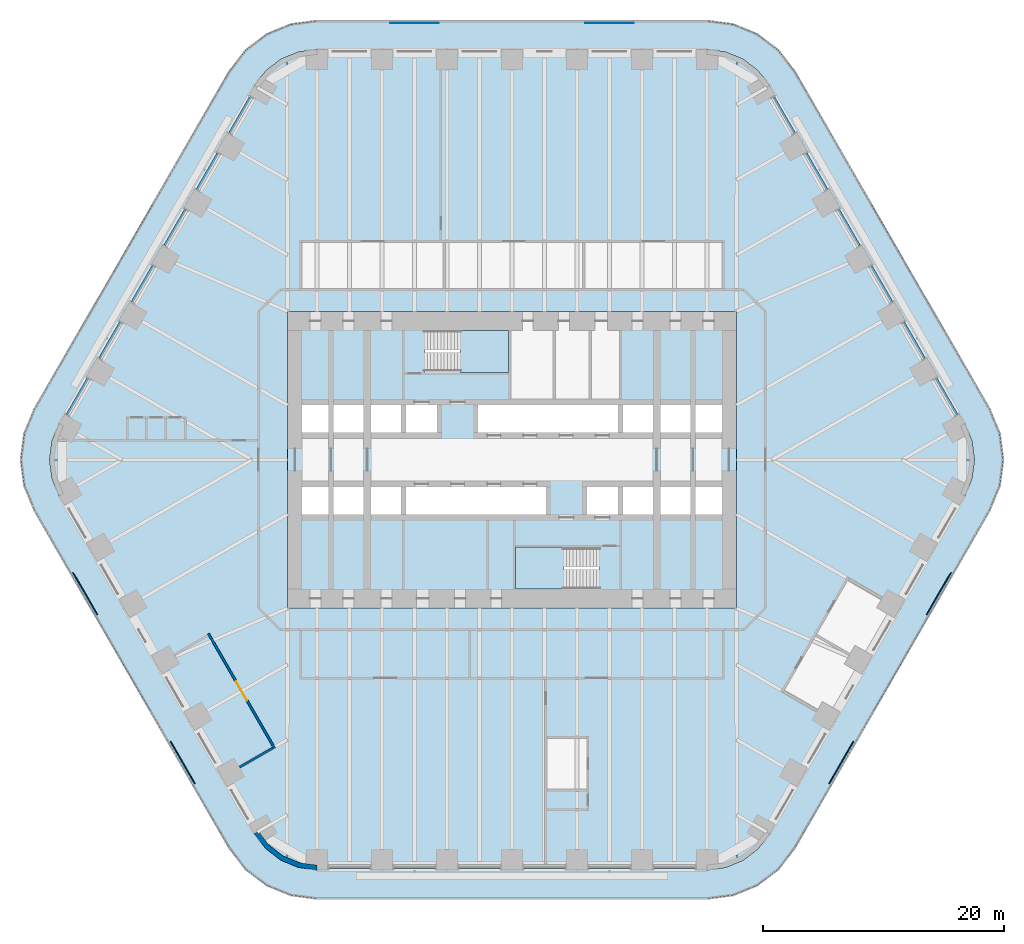
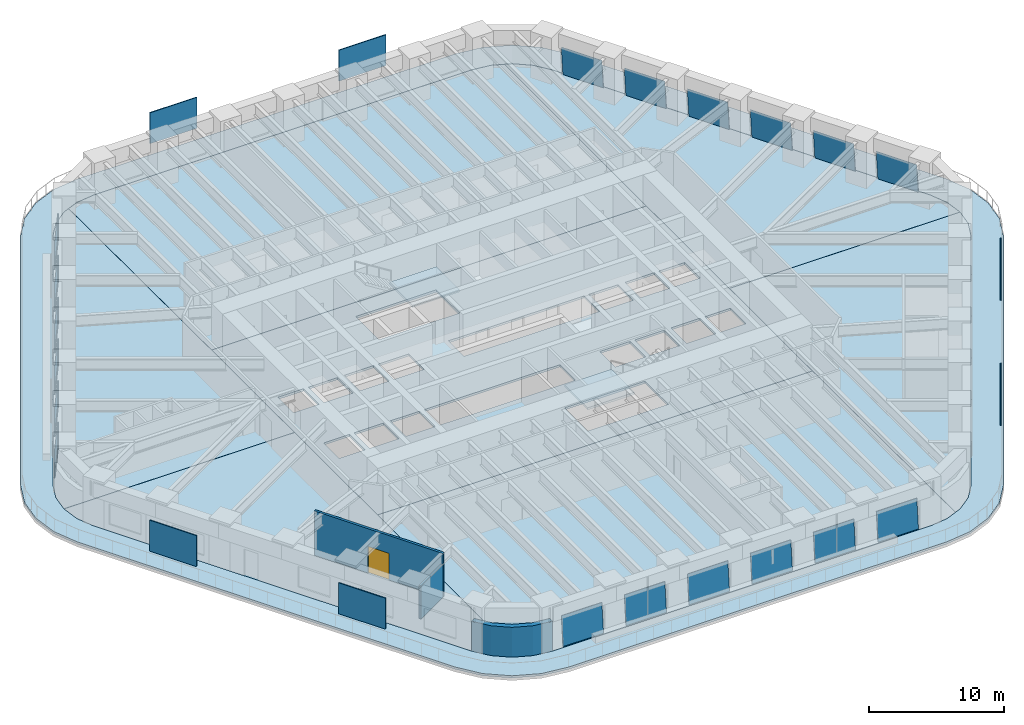
# One storey, part 15 of 23: 24 plates, 10 slabs, 3 walls, 1 door, 1 opening, 20 elements without a shape of their own.
"""IFC4 building model written with IfcOpenShell, lengths in metres."""

from ifc_helpers import new_model, si_unit, direction, frame, frame_2d, origin, origin_2d, place, context, subcontext, project, spatial, polyline, rectangle, outline, extrude, material, layer, layer_set, type_object, element, fill, aggregate, save


model = new_model("IFC4")

# Units and contexts
model_context = context("Model", 3, precision=1e-05, world=origin(), true_north=direction((0.0, 1.0)))
body_context = subcontext(model_context, "Body", "Model", "MODEL_VIEW")
ifc_project = project(units=[si_unit("LENGTHUNIT", "METRE"), si_unit("AREAUNIT", "SQUARE_METRE"), si_unit("VOLUMEUNIT", "CUBIC_METRE"), si_unit("PLANEANGLEUNIT", "RADIAN"), si_unit("MASSUNIT", "GRAM", prefix="KILO")], contexts=[model_context])

# Site, building, storey
site_placement = place(None, origin())
site = spatial("IfcSite", under=ifc_project, at=site_placement, CompositionType="ELEMENT")
building_placement = place(site_placement, origin())
building = spatial("IfcBuilding", under=site, at=building_placement, Name="Tarfa Lantern Tower", CompositionType="ELEMENT")
storey_placement = place(building_placement, frame((0.0, 0.0, 86.5)))
storey = spatial("IfcBuildingStorey", under=building, at=storey_placement, Name="L19", CompositionType="ELEMENT", Elevation=86.5)

# Slab
ifc_material_1 = material(Name="Concrete C40/50", Category="concrete")
ifc_layer_1 = layer(ifc_material_1, 0.199951171875)
ifc_layer_set_1 = layer_set([ifc_layer_1], Name="BS2 BALCONY SLAB 200")
slab_type_1 = type_object("IfcSlabType", Name="BS2 BALCONY SLAB 200", PredefinedType="FLOOR", material=ifc_layer_set_1)
slab_1_placement = place(storey_placement, frame((0.0, 0.0, -0.199951171875)))
element("IfcSlab", 1, at=slab_1_placement, inside=storey, type_object=slab_type_1, Name="Balcony L19", PredefinedType="FLOOR", context=body_context, shape_type="SweptSolid", body=[
    extrude(outline(polyline([(39.606201171875, 4.199951171875), (23.4404296875, 32.199951171875), (22.10546875, 33.939697265625), (20.36572265625, 35.274658203125), (18.33984375, 36.11376953125), (16.165771484375, 36.39990234375), (-16.165771484375, 36.39990234375), (-18.33984375, 36.11376953125), (-20.36572265625, 35.274658203125), (-22.10546875, 33.939697265625), (-23.4404296875, 32.199951171875), (-39.606201171875, 4.199951171875), (-40.4453125, 2.174072265625), (-40.731689453125, 0.0), (-40.4453125, -2.174072265625), (-39.606201171875, -4.199951171875), (-23.4404296875, -32.199951171875), (-22.10546875, -33.939697265625), (-20.36572265625, -35.274658203125), (-18.33984375, -36.11376953125), (-16.165771484375, -36.39990234375), (16.165771484375, -36.39990234375), (18.33984375, -36.11376953125), (20.36572265625, -35.274658203125), (22.10546875, -33.939697265625), (23.4404296875, -32.199951171875), (39.606201171875, -4.199951171875), (40.4453125, -2.174072265625), (40.731689453125, 0.0), (40.4453125, 2.174072265625), (39.606201171875, 4.199951171875)]), holes=[polyline([(37.52783203125, 3.0), (21.362060546875, 31.0), (20.408447265625, 32.24267578125), (19.165771484375, 33.196044921875), (17.71875, 33.795654296875), (16.165771484375, 34.0), (-16.165771484375, 34.0), (-17.71875, 33.795654296875), (-19.165771484375, 33.196044921875), (-20.408447265625, 32.24267578125), (-21.362060546875, 31.0), (-37.52783203125, 3.0), (-38.127197265625, 1.552978515625), (-38.33154296875, 0.0), (-38.127197265625, -1.552978515625), (-37.52783203125, -3.0), (-21.362060546875, -31.0), (-20.408447265625, -32.24267578125), (-19.165771484375, -33.196044921875), (-17.71875, -33.795654296875), (-16.165771484375, -34.0), (16.165771484375, -34.0), (17.71875, -33.795654296875), (19.165771484375, -33.196044921875), (20.408447265625, -32.24267578125), (21.362060546875, -31.0), (37.52783203125, -3.0), (38.127197265625, -1.552978515625), (38.33154296875, 0.0), (38.127197265625, 1.552978515625), (37.52783203125, 3.0)])]), origin(), (0.0, 0.0, 1.0), 0.199951171875),
])

# Curtain wall, plate
ifc_material_2 = material(Name="Aluminium framed curtain wall", Category="aluminium")
curtain_wall_type = type_object("IfcCurtainWallType", Name="CW1 CANTED GLAZING LOW ZONE 2700", PredefinedType="USERDEFINED", material=ifc_material_2)
curtain_wall_1_placement = place(storey_placement, origin())
curtain_wall_1 = element("IfcCurtainWall", 2, at=curtain_wall_1_placement, inside=storey, type_object=curtain_wall_type, Name="CW1 NE L19", ObjectType="CURTAIN WALL", PredefinedType="USERDEFINED")
ifc_material_3 = material(Name="Laminated double glazing", Category="glass")
ifc_layer_2 = layer(ifc_material_3, 0.028076171875)
ifc_layer_set_2 = layer_set([ifc_layer_2], Name="CWP1 DOUBLE GLAZED PANEL")
plate_type_1 = type_object("IfcPlateType", Name="CWP1 DOUBLE GLAZED PANEL", PredefinedType="CURTAIN_PANEL", material=ifc_layer_set_2)
plate_1_placement = place(storey_placement, frame((36.958740234375, 3.78564453125, 0.0), z_axis=(0.862328668437, 0.497885244559, 0.092193008634), x_axis=(-0.500014824519, 0.866016844675, 1.185802e-06)))
plate_1 = element("IfcPlate", 3, at=plate_1_placement, type_object=plate_type_1, Name="CW1 panel 1.1", PredefinedType="CURTAIN_PANEL", context=body_context, shape_type="SweptSolid", body=[
    extrude(outline(polyline([(0.0, 0.0), (3.4588050986823675, -2.7755575615628914e-17), (3.458687227400386, 2.6462757406584143), (0.00021563254350503633, 2.646283978259601), (0.0, 0.0)])), origin(), (0.0, 0.0, -1.0), 0.028076171875),
])
aggregate(curtain_wall_1, [plate_1])

curtain_wall_2_placement = place(storey_placement, origin())
curtain_wall_2 = element("IfcCurtainWall", 4, at=curtain_wall_2_placement, inside=storey, type_object=curtain_wall_type, Name="CW1 NE L19", ObjectType="CURTAIN WALL", PredefinedType="USERDEFINED")
plate_2_placement = place(storey_placement, frame((34.264404296875, 8.452392578125, 0.0), z_axis=(0.862340709651, 0.497857052326, 0.092232618567), x_axis=(-0.499988388526, 0.866032107567, 1.620746e-06)))
plate_2 = element("IfcPlate", 5, at=plate_2_placement, type_object=plate_type_1, Name="CW1 panel 1.1", PredefinedType="CURTAIN_PANEL", context=body_context, shape_type="SweptSolid", body=[
    extrude(outline(polyline([(0.0, 0.0), (3.4584715946188553, 0.0), (3.458680924575474, 2.6462839784417604), (-2.1036633928729573e-06, 2.646295237386087), (0.0, 0.0)])), origin(), (0.0, 0.0, -1.0), 0.028076171875),
])
aggregate(curtain_wall_2, [plate_2])

curtain_wall_3_placement = place(storey_placement, origin())
curtain_wall_3 = element("IfcCurtainWall", 6, at=curtain_wall_3_placement, inside=storey, type_object=curtain_wall_type, Name="CW1 NE L19", ObjectType="CURTAIN WALL", PredefinedType="USERDEFINED")
plate_3_placement = place(storey_placement, frame((31.570068359375, 13.119140625, 0.0), z_axis=(0.86231804758, 0.497899404143, 0.092215878092), x_axis=(-0.500029787915, 0.866008205036, -2.80672e-06)))
plate_3 = element("IfcPlate", 7, at=plate_3_placement, type_object=plate_type_1, Name="CW1 panel 1.1", PredefinedType="CURTAIN_PANEL", context=body_context, shape_type="SweptSolid", body=[
    extrude(outline(polyline([(0.0, 0.0), (3.458471593550903, 0.0), (3.458469494159286, 2.6462952359903724), (-0.00012417697655749924, 2.6462757386504), (0.0, 0.0)])), origin(), (0.0, 0.0, -1.0), 0.028076171875),
])
aggregate(curtain_wall_3, [plate_3])

curtain_wall_4_placement = place(storey_placement, origin())
curtain_wall_4 = element("IfcCurtainWall", 8, at=curtain_wall_4_placement, inside=storey, type_object=curtain_wall_type, Name="CW1 NE L19", ObjectType="CURTAIN WALL", PredefinedType="USERDEFINED")
plate_4_placement = place(storey_placement, frame((28.875732421875, 17.78564453125, 0.0), z_axis=(0.862328668437, 0.497885244559, 0.092193008634), x_axis=(-0.500014374553, 0.866017104462, -4.42593e-06)))
plate_4 = element("IfcPlate", 9, at=plate_4_placement, type_object=plate_type_1, Name="CW1 panel 1.1", PredefinedType="CURTAIN_PANEL", context=body_context, shape_type="SweptSolid", body=[
    extrude(outline(polyline([(0.0, 0.0), (3.458683024805527, 0.0), (3.45867231364208, 2.646295232853952), (7.864497178416369e-05, 2.646264486530969), (0.0, 0.0)])), origin(), (0.0, 0.0, -1.0), 0.028076171875),
])
aggregate(curtain_wall_4, [plate_4])

curtain_wall_5_placement = place(storey_placement, origin())
curtain_wall_5 = element("IfcCurtainWall", 10, at=curtain_wall_5_placement, inside=storey, type_object=curtain_wall_type, Name="CW1 NE L19", ObjectType="CURTAIN WALL", PredefinedType="USERDEFINED")
plate_5_placement = place(storey_placement, frame((26.181396484375, 22.452392578125, 0.0), z_axis=(0.862347061743, 0.497860719593, 0.092153399226), x_axis=(-0.499988388302, 0.866032107696, 1.619366e-06)))
plate_5 = element("IfcPlate", 11, at=plate_5_placement, type_object=plate_type_1, Name="CW1 panel 1.1", PredefinedType="CURTAIN_PANEL", context=body_context, shape_type="SweptSolid", body=[
    extrude(outline(polyline([(0.0, 0.0), (3.458471594618848, 0.0), (3.4585588533982596, 2.64626449077229), (-0.0001241748406306579, 2.6462757400462187), (0.0, 0.0)])), origin(), (0.0, 0.0, -1.0), 0.028076171875),
])
aggregate(curtain_wall_5, [plate_5])

curtain_wall_6_placement = place(storey_placement, origin())
curtain_wall_6 = element("IfcCurtainWall", 12, at=curtain_wall_6_placement, inside=storey, type_object=curtain_wall_type, Name="CW1 NE L19", ObjectType="CURTAIN WALL", PredefinedType="USERDEFINED")
plate_6_placement = place(storey_placement, frame((23.487060546875, 27.119140625, 0.0), z_axis=(0.862336442431, 0.497874879503, 0.092176268179), x_axis=(-0.500003541824, 0.866023358902, 0.0)))
plate_6 = element("IfcPlate", 13, at=plate_6_placement, type_object=plate_type_1, Name="CW1 panel 1.1", PredefinedType="CURTAIN_PANEL", context=body_context, shape_type="SweptSolid", body=[
    extrude(outline(polyline([(0.0, 0.0), (3.4584715951528233, 0.0), (3.4583474213801635, 2.6462757407441324), (-0.00012417377265973306, 2.6462757407441324), (0.0, 0.0)])), origin(), (0.0, 0.0, -1.0), 0.028076171875),
])
aggregate(curtain_wall_6, [plate_6])

curtain_wall_7_placement = place(storey_placement, origin())
curtain_wall_7 = element("IfcCurtainWall", 14, at=curtain_wall_7_placement, inside=storey, type_object=curtain_wall_type, Name="CW1 NW L19", ObjectType="CURTAIN WALL", PredefinedType="USERDEFINED")
plate_7_placement = place(storey_placement, frame((-21.7578125, 30.1142578125, 0.0), z_axis=(-0.862336442431, 0.497874879503, 0.092176268179), x_axis=(-0.500003541824, -0.866023358902, 0.0)))
plate_7 = element("IfcPlate", 15, at=plate_7_placement, type_object=plate_type_1, Name="CW1 panel 1.1", PredefinedType="CURTAIN_PANEL", context=body_context, shape_type="SweptSolid", body=[
    extrude(outline(polyline([(0.0, 0.0), (3.4584715951528233, 0.0), (3.4585957689254827, 2.6462757407441324), (0.00012417377265973306, 2.6462757407441324), (0.0, 0.0)])), origin(), (0.0, 0.0, -1.0), 0.028076171875),
])
aggregate(curtain_wall_7, [plate_7])

curtain_wall_8_placement = place(storey_placement, origin())
curtain_wall_8 = element("IfcCurtainWall", 16, at=curtain_wall_8_placement, inside=storey, type_object=curtain_wall_type, Name="CW1 NW L19", ObjectType="CURTAIN WALL", PredefinedType="USERDEFINED")
plate_8_placement = place(storey_placement, frame((-24.4521484375, 25.447509765625, 0.0), z_axis=(-0.862347061743, 0.497860719593, 0.092153399226), x_axis=(-0.499988388302, -0.866032107696, -1.619366e-06)))
plate_8 = element("IfcPlate", 17, at=plate_8_placement, type_object=plate_type_1, Name="CW1 panel 1.1", PredefinedType="CURTAIN_PANEL", context=body_context, shape_type="SweptSolid", body=[
    extrude(outline(polyline([(0.0, 0.0), (3.458471594618848, 0.0), (3.458595769459478, 2.6462757400462182), (-8.725877941228665e-05, 2.64626449077229), (0.0, 0.0)])), origin(), (0.0, 0.0, -1.0), 0.028076171875),
])
aggregate(curtain_wall_8, [plate_8])

curtain_wall_9_placement = place(storey_placement, origin())
curtain_wall_9 = element("IfcCurtainWall", 18, at=curtain_wall_9_placement, inside=storey, type_object=curtain_wall_type, Name="CW1 NW L19", ObjectType="CURTAIN WALL", PredefinedType="USERDEFINED")
plate_9_placement = place(storey_placement, frame((-27.146484375, 20.781005859375, 0.0), z_axis=(-0.862328668437, 0.497885244559, 0.092193008634), x_axis=(-0.500014374553, -0.866017104462, 4.42593e-06)))
plate_9 = element("IfcPlate", 19, at=plate_9_placement, type_object=plate_type_1, Name="CW1 panel 1.1", PredefinedType="CURTAIN_PANEL", context=body_context, shape_type="SweptSolid", body=[
    extrude(outline(polyline([(0.0, 0.0), (3.458683024805527, 0.0), (3.4586043798337425, 2.646264486530969), (1.0711163447508162e-05, 2.646295232853952), (0.0, 0.0)])), origin(), (0.0, 0.0, -1.0), 0.028076171875),
])
aggregate(curtain_wall_9, [plate_9])

curtain_wall_10_placement = place(storey_placement, origin())
curtain_wall_10 = element("IfcCurtainWall", 20, at=curtain_wall_10_placement, inside=storey, type_object=curtain_wall_type, Name="CW1 NW L19", ObjectType="CURTAIN WALL", PredefinedType="USERDEFINED")
plate_10_placement = place(storey_placement, frame((-29.8408203125, 16.1142578125, 0.0), z_axis=(-0.86231804758, 0.497899404143, 0.092215878092), x_axis=(-0.500029787915, -0.866008205036, 2.80672e-06)))
plate_10 = element("IfcPlate", 21, at=plate_10_placement, type_object=plate_type_1, Name="CW1 panel 1.1", PredefinedType="CURTAIN_PANEL", context=body_context, shape_type="SweptSolid", body=[
    extrude(outline(polyline([(0.0, 0.0), (3.458471593550903, 0.0), (3.4585957705274604, 2.6462757386504), (2.099391617293653e-06, 2.6462952359903724), (0.0, 0.0)])), origin(), (0.0, 0.0, -1.0), 0.028076171875),
])
aggregate(curtain_wall_10, [plate_10])

curtain_wall_11_placement = place(storey_placement, origin())
curtain_wall_11 = element("IfcCurtainWall", 22, at=curtain_wall_11_placement, inside=storey, type_object=curtain_wall_type, Name="CW1 NW L19", ObjectType="CURTAIN WALL", PredefinedType="USERDEFINED")
plate_11_placement = place(storey_placement, frame((-32.53515625, 11.447509765625, 0.0), z_axis=(-0.862340709651, 0.497857052326, 0.092232618567), x_axis=(-0.499988388526, -0.866032107567, -1.620746e-06)))
plate_11 = element("IfcPlate", 23, at=plate_11_placement, type_object=plate_type_1, Name="CW1 panel 1.1", PredefinedType="CURTAIN_PANEL", context=body_context, shape_type="SweptSolid", body=[
    extrude(outline(polyline([(0.0, 0.0), (3.4584715946188553, 0.0), (3.458473698282248, 2.646295237386087), (-0.00020932995661861062, 2.6462839784417604), (0.0, 0.0)])), origin(), (0.0, 0.0, -1.0), 0.028076171875),
])
aggregate(curtain_wall_11, [plate_11])

curtain_wall_12_placement = place(storey_placement, origin())
curtain_wall_12 = element("IfcCurtainWall", 24, at=curtain_wall_12_placement, inside=storey, type_object=curtain_wall_type, Name="CW1 NW L19", ObjectType="CURTAIN WALL", PredefinedType="USERDEFINED")
plate_12_placement = place(storey_placement, frame((-35.229248046875, 6.781005859375, 0.0), z_axis=(-0.862328668437, 0.497885244559, 0.092193008634), x_axis=(-0.500014824519, -0.866016844675, -1.185802e-06)))
plate_12 = element("IfcPlate", 25, at=plate_12_placement, type_object=plate_type_1, Name="CW1 panel 1.1", PredefinedType="CURTAIN_PANEL", context=body_context, shape_type="SweptSolid", body=[
    extrude(outline(polyline([(0.0, 0.0), (3.4588050986823675, 2.7755575615628914e-17), (3.4585894661388625, 2.646283978259601), (0.00011787128198159993, 2.6462757406584143), (0.0, 0.0)])), origin(), (0.0, 0.0, -1.0), 0.028076171875),
])
aggregate(curtain_wall_12, [plate_12])

curtain_wall_13_placement = place(storey_placement, origin())
curtain_wall_13 = element("IfcCurtainWall", 26, at=curtain_wall_13_placement, inside=storey, type_object=curtain_wall_type, Name="CW1 S L19", ObjectType="CURTAIN WALL", PredefinedType="USERDEFINED")
plate_13_placement = place(storey_placement, frame((-15.200927734375, -33.89990234375, 0.0), z_axis=(0.0, -0.995743653657, 0.092166025202), x_axis=(1.0, 0.0, 0.0)))
plate_13 = element("IfcPlate", 27, at=plate_13_placement, type_object=plate_type_1, Name="CW1 panel 1.1", PredefinedType="CURTAIN_PANEL", context=body_context, shape_type="SweptSolid", body=[
    extrude(outline(polyline([(0.0, 0.0), (3.458740234375, 0.0), (3.458740234375, 2.6462732209712594), (0.0, 2.6462732209712594), (0.0, 0.0)])), origin(), (0.0, 0.0, -1.0), 0.028076171875),
])
aggregate(curtain_wall_13, [plate_13])

curtain_wall_14_placement = place(storey_placement, origin())
curtain_wall_14 = element("IfcCurtainWall", 28, at=curtain_wall_14_placement, inside=storey, type_object=curtain_wall_type, Name="CW1 S L19", ObjectType="CURTAIN WALL", PredefinedType="USERDEFINED")
plate_14_placement = place(storey_placement, frame((-9.812255859375, -33.89990234375, 0.0), z_axis=(0.0, -0.995743653657, 0.092166025202), x_axis=(1.0, 0.0, 0.0)))
plate_14 = element("IfcPlate", 29, at=plate_14_placement, type_object=plate_type_1, Name="CW1 panel 1.1", PredefinedType="CURTAIN_PANEL", context=body_context, shape_type="SweptSolid", body=[
    extrude(outline(polyline([(0.0, 0.0), (3.458740234375, 0.0), (3.458740234375, 2.6462732209712594), (0.0, 2.6462732209712594), (0.0, 0.0)])), origin(), (0.0, 0.0, -1.0), 0.028076171875),
])
aggregate(curtain_wall_14, [plate_14])

curtain_wall_15_placement = place(storey_placement, origin())
curtain_wall_15 = element("IfcCurtainWall", 30, at=curtain_wall_15_placement, inside=storey, type_object=curtain_wall_type, Name="CW1 S L19", ObjectType="CURTAIN WALL", PredefinedType="USERDEFINED")
plate_15_placement = place(storey_placement, frame((-4.423583984375, -33.89990234375, 0.0), z_axis=(0.0, -0.995743653657, 0.092166025202), x_axis=(1.0, 0.0, 0.0)))
plate_15 = element("IfcPlate", 31, at=plate_15_placement, type_object=plate_type_1, Name="CW1 panel 1.1", PredefinedType="CURTAIN_PANEL", context=body_context, shape_type="SweptSolid", body=[
    extrude(outline(polyline([(0.0, 0.0), (3.45849609375, 0.0), (3.45849609375, 2.6462732209712594), (0.0, 2.6462732209712594), (0.0, 0.0)])), origin(), (0.0, 0.0, -1.0), 0.028076171875),
])
aggregate(curtain_wall_15, [plate_15])

curtain_wall_16_placement = place(storey_placement, origin())
curtain_wall_16 = element("IfcCurtainWall", 32, at=curtain_wall_16_placement, inside=storey, type_object=curtain_wall_type, Name="CW1 S L19", ObjectType="CURTAIN WALL", PredefinedType="USERDEFINED")
plate_16_placement = place(storey_placement, frame((0.965087890625, -33.89990234375, 0.0), z_axis=(0.0, -0.995743653657, 0.092166025202), x_axis=(1.0, 0.0, 0.0)))
plate_16 = element("IfcPlate", 33, at=plate_16_placement, type_object=plate_type_1, Name="CW1 panel 1.1", PredefinedType="CURTAIN_PANEL", context=body_context, shape_type="SweptSolid", body=[
    extrude(outline(polyline([(0.0, 0.0), (3.45849609375, 0.0), (3.45849609375, 2.6462732209712594), (0.0, 2.6462732209712594), (0.0, 0.0)])), origin(), (0.0, 0.0, -1.0), 0.028076171875),
])
aggregate(curtain_wall_16, [plate_16])

curtain_wall_17_placement = place(storey_placement, origin())
curtain_wall_17 = element("IfcCurtainWall", 34, at=curtain_wall_17_placement, inside=storey, type_object=curtain_wall_type, Name="CW1 S L19", ObjectType="CURTAIN WALL", PredefinedType="USERDEFINED")
plate_17_placement = place(storey_placement, frame((6.353515625, -33.89990234375, 0.0), z_axis=(0.0, -0.995743653657, 0.092166025202), x_axis=(1.0, 0.0, 0.0)))
plate_17 = element("IfcPlate", 35, at=plate_17_placement, type_object=plate_type_1, Name="CW1 panel 1.1", PredefinedType="CURTAIN_PANEL", context=body_context, shape_type="SweptSolid", body=[
    extrude(outline(polyline([(0.0, 0.0), (3.458740234375, 0.0), (3.458740234375, 2.6462732209712594), (0.0, 2.6462732209712594), (0.0, 0.0)])), origin(), (0.0, 0.0, -1.0), 0.028076171875),
])
aggregate(curtain_wall_17, [plate_17])

curtain_wall_18_placement = place(storey_placement, origin())
curtain_wall_18 = element("IfcCurtainWall", 36, at=curtain_wall_18_placement, inside=storey, type_object=curtain_wall_type, Name="CW1 S L19", ObjectType="CURTAIN WALL", PredefinedType="USERDEFINED")
plate_18_placement = place(storey_placement, frame((11.7421875, -33.89990234375, 0.0), z_axis=(0.0, -0.995743653657, 0.092166025202), x_axis=(1.0, 0.0, 0.0)))
plate_18 = element("IfcPlate", 37, at=plate_18_placement, type_object=plate_type_1, Name="CW1 panel 1.1", PredefinedType="CURTAIN_PANEL", context=body_context, shape_type="SweptSolid", body=[
    extrude(outline(polyline([(0.0, 0.0), (3.458740234375, 0.0), (3.458740234375, 2.6462732209712594), (0.0, 2.6462732209712594), (0.0, 0.0)])), origin(), (0.0, 0.0, -1.0), 0.028076171875),
])
aggregate(curtain_wall_18, [plate_18])

# Slabs
ifc_layer_3 = layer(ifc_material_1, 0.199951171875)
ifc_layer_set_3 = layer_set([ifc_layer_3], Name="FS1 FLOOR SLAB 200")
slab_type_2 = type_object("IfcSlabType", Name="FS1 FLOOR SLAB 200", PredefinedType="FLOOR", material=ifc_layer_set_3)
slab_2_placement = place(storey_placement, frame((0.0, 0.0, -0.199951171875)))
element("IfcSlab", 38, at=slab_2_placement, inside=storey, type_object=slab_type_2, Name="Floor slab L19", PredefinedType="FLOOR", context=body_context, shape_type="SweptSolid", body=[
    extrude(outline(polyline([(-18.60009765625, -12.300048828125), (18.60009765625, -12.300048828125), (18.60009765625, 12.300048828125), (-18.60009765625, 12.300048828125), (-18.60009765625, -12.300048828125)]), holes=[polyline([(-17.39990234375, 2.25), (-15.199951171875, 2.25), (-15.199951171875, 4.550048828125), (-17.39990234375, 4.550048828125), (-17.39990234375, 2.25)]), polyline([(-14.800048828125, 2.25), (-12.300048828125, 2.25), (-12.300048828125, 4.550048828125), (-14.800048828125, 4.550048828125), (-14.800048828125, 2.25)]), polyline([(-11.699951171875, 2.25), (-9.199951171875, 2.25), (-9.199951171875, 4.550048828125), (-11.699951171875, 4.550048828125), (-11.699951171875, 2.25)]), polyline([(-8.800048828125, 2.25), (-6.199951171875, 2.25), (-6.199951171875, 4.550048828125), (-8.800048828125, 4.550048828125), (-8.800048828125, 2.25)]), polyline([(-2.800048828125, 2.25), (8.800048828125, 2.25), (8.800048828125, 4.550048828125), (-2.800048828125, 4.550048828125), (-2.800048828125, 2.25)]), polyline([(9.199951171875, 2.25), (11.699951171875, 2.25), (11.699951171875, 4.550048828125), (9.199951171875, 4.550048828125), (9.199951171875, 2.25)]), polyline([(12.300048828125, 2.25), (14.800048828125, 2.25), (14.800048828125, 4.550048828125), (12.300048828125, 4.550048828125), (12.300048828125, 2.25)]), polyline([(15.199951171875, 2.25), (17.39990234375, 2.25), (17.39990234375, 4.550048828125), (15.199951171875, 4.550048828125), (15.199951171875, 2.25)]), polyline([(17.39990234375, -2.25), (15.199951171875, -2.25), (15.199951171875, -4.550048828125), (17.39990234375, -4.550048828125), (17.39990234375, -2.25)]), polyline([(14.800048828125, -2.25), (12.300048828125, -2.25), (12.300048828125, -4.550048828125), (14.800048828125, -4.550048828125), (14.800048828125, -2.25)]), polyline([(11.699951171875, -2.25), (9.199951171875, -2.25), (9.199951171875, -4.550048828125), (11.699951171875, -4.550048828125), (11.699951171875, -2.25)]), polyline([(8.800048828125, -2.25), (6.199951171875, -2.25), (6.199951171875, -4.550048828125), (8.800048828125, -4.550048828125), (8.800048828125, -2.25)]), polyline([(2.800048828125, -2.25), (-8.800048828125, -2.25), (-8.800048828125, -4.550048828125), (2.800048828125, -4.550048828125), (2.800048828125, -2.25)]), polyline([(-9.199951171875, -2.25), (-11.699951171875, -2.25), (-11.699951171875, -4.550048828125), (-9.199951171875, -4.550048828125), (-9.199951171875, -2.25)]), polyline([(-12.300048828125, -2.25), (-14.800048828125, -2.25), (-14.800048828125, -4.550048828125), (-12.300048828125, -4.550048828125), (-12.300048828125, -2.25)]), polyline([(-15.199951171875, -2.25), (-17.39990234375, -2.25), (-17.39990234375, -4.550048828125), (-15.199951171875, -4.550048828125), (-15.199951171875, -2.25)]), polyline([(-7.199951171875, 7.25), (-0.300048828125, 7.25), (-0.300048828125, 10.699951171875), (-7.199951171875, 10.699951171875), (-7.199951171875, 7.25)]), polyline([(7.199951171875, -7.25), (0.300048828125, -7.25), (0.300048828125, -10.699951171875), (7.199951171875, -10.699951171875), (7.199951171875, -7.25)])]), origin(), (0.0, 0.0, 1.0), 0.199951171875),
])
slab_3_placement = place(storey_placement, frame((0.0, 0.0, -0.199951171875)))
element("IfcSlab", 39, at=slab_3_placement, inside=storey, type_object=slab_type_2, Name="Floor slab L19 NE bay", PredefinedType="FLOOR", context=body_context, shape_type="SweptSolid", body=[
    extrude(outline(polyline([(37.52587890625, 2.9990234375), (21.3603515625, 30.998779296875), (20.406982421875, 32.2412109375), (19.164794921875, 33.1943359375), (18.64697265625, 33.408935546875), (18.60205078125, 12.300048828125), (18.60205078125, 0.001953125), (38.329345703125, 0.001953125), (38.125244140625, 1.552490234375), (37.52587890625, 2.9990234375)])), origin(), (0.0, 0.0, 1.0), 0.199951171875),
])
slab_4_placement = place(storey_placement, frame((0.0, 0.0, -0.199951171875)))
element("IfcSlab", 40, at=slab_4_placement, inside=storey, type_object=slab_type_2, Name="Floor slab L19 N bay", PredefinedType="FLOOR", context=body_context, shape_type="SweptSolid", body=[
    extrude(outline(polyline([(-18.597900390625, 12.302001953125), (18.597900390625, 12.302001953125), (18.64306640625, 33.41064453125), (17.71826171875, 33.793701171875), (16.165771484375, 33.998046875), (-16.165771484375, 33.998046875), (-17.71826171875, 33.793701171875), (-18.64306640625, 33.41064453125), (-18.597900390625, 12.302001953125)])), origin(), (0.0, 0.0, 1.0), 0.199951171875),
])
slab_5_placement = place(storey_placement, frame((0.0, 0.0, -0.199951171875)))
element("IfcSlab", 41, at=slab_5_placement, inside=storey, type_object=slab_type_2, Name="Floor slab L19 NW bay", PredefinedType="FLOOR", context=body_context, shape_type="SweptSolid", body=[
    extrude(outline(polyline([(-18.60205078125, 0.001953125), (-18.60205078125, 12.300048828125), (-18.64697265625, 33.408935546875), (-19.164794921875, 33.1943359375), (-20.406982421875, 32.2412109375), (-21.3603515625, 30.998779296875), (-37.52587890625, 2.9990234375), (-38.125244140625, 1.552490234375), (-38.329345703125, 0.001953125), (-18.60205078125, 0.001953125)])), origin(), (0.0, 0.0, 1.0), 0.199951171875),
])
slab_6_placement = place(storey_placement, frame((0.0, 0.0, -0.199951171875)))
element("IfcSlab", 42, at=slab_6_placement, inside=storey, type_object=slab_type_2, Name="Floor slab L19 SW bay", PredefinedType="FLOOR", context=body_context, shape_type="SweptSolid", body=[
    extrude(outline(polyline([(-18.60205078125, -12.300048828125), (-18.60205078125, -0.001953125), (-38.329345703125, -0.001953125), (-38.125244140625, -1.552490234375), (-37.52587890625, -2.9990234375), (-21.3603515625, -30.998779296875), (-20.406982421875, -32.2412109375), (-19.164794921875, -33.1943359375), (-18.64697265625, -33.408935546875), (-18.60205078125, -12.300048828125)])), origin(), (0.0, 0.0, 1.0), 0.199951171875),
])
slab_7_placement = place(storey_placement, frame((0.0, 0.0, -0.199951171875)))
element("IfcSlab", 43, at=slab_7_placement, inside=storey, type_object=slab_type_2, Name="Floor slab L19 S bay", PredefinedType="FLOOR", context=body_context, shape_type="SweptSolid", body=[
    extrude(outline(polyline([(18.597900390625, -12.302001953125), (-18.597900390625, -12.302001953125), (-18.64306640625, -33.41064453125), (-17.71826171875, -33.793701171875), (-16.165771484375, -33.998046875), (16.165771484375, -33.998046875), (17.71826171875, -33.793701171875), (18.64306640625, -33.41064453125), (18.597900390625, -12.302001953125)])), origin(), (0.0, 0.0, 1.0), 0.199951171875),
])
slab_8_placement = place(storey_placement, frame((0.0, 0.0, -0.199951171875)))
element("IfcSlab", 44, at=slab_8_placement, inside=storey, type_object=slab_type_2, Name="Floor slab L19 SE bay", PredefinedType="FLOOR", context=body_context, shape_type="SweptSolid", body=[
    extrude(outline(polyline([(18.60205078125, -0.001953125), (18.60205078125, -12.300048828125), (18.64697265625, -33.408935546875), (19.164794921875, -33.1943359375), (20.406982421875, -32.2412109375), (21.3603515625, -30.998779296875), (37.52587890625, -2.9990234375), (38.125244140625, -1.552490234375), (38.329345703125, -0.001953125), (18.60205078125, -0.001953125)])), origin(), (0.0, 0.0, 1.0), 0.199951171875),
])

# Plates
ifc_material_4 = material(Name="Perforated limestone screen", Category="masonry")
ifc_layer_4 = layer(ifc_material_4, 0.080078125)
ifc_layer_set_4 = layer_set([ifc_layer_4], Name="SC1 STONE SCREEN 80")
plate_type_2 = type_object("IfcPlateType", Name="SC1 STONE SCREEN 80", PredefinedType="USERDEFINED", material=ifc_layer_set_4)
for number, where, z_axis, x_axis, name in (
    (45, (8.0830078125, 36.199951171875, 1.2001953125), (0.0, 0.0, 1.0), (-1.0, 0.0, 0.0), "Stone screen N 1"),
    (46, (-8.0830078125, 36.199951171875, 1.2001953125), (0.0, 0.0, 1.0), (-1.0, 0.0, 0.0), "Stone screen N 2"),
    (47, (-35.3916015625, -11.10009765625, 1.2001953125), (0.0, 0.0, 1.0), (0.5, -0.866025403784, 0.0), "Stone screen SW 1"),
    (48, (-27.30859375, -25.10009765625, 1.2001953125), (0.0, 0.0, 1.0), (0.5, -0.866025403784, 0.0), "Stone screen SW 2"),
    (49, (27.30859375, -25.10009765625, 1.2001953125), (0.0, 0.0, 1.0), (0.5, 0.866025403784, 0.0), "Stone screen SE 1"),
    (50, (35.3916015625, -11.10009765625, 1.2001953125), (0.0, 0.0, 1.0), (0.5, 0.866025403784, 0.0), "Stone screen SE 2"),
):
    element("IfcPlate", number, at=place(storey_placement, frame(where, z_axis=z_axis, x_axis=x_axis)), inside=storey, type_object=plate_type_2, Name=name, ObjectType="SCREEN", PredefinedType="USERDEFINED", context=body_context, shape_type="SweptSolid", body=[
        extrude(rectangle(XDim=4.0, YDim=0.080078125, at=origin_2d()), origin(), (0.0, 0.0, 1.0), 2.800048828125),
    ])

# Stair, slab
stair_type = type_object("IfcStairType", Name="ST-T10 HALF-TURN STAIR 4200 RISE", PredefinedType="HALF_TURN_STAIR", material=ifc_material_1)
stair_1_placement = place(storey_placement, origin())
stair_1 = element("IfcStair", 51, at=stair_1_placement, inside=storey, type_object=stair_type, Name="Stair ST1", PredefinedType="HALF_TURN_STAIR")
ifc_layer_5 = layer(ifc_material_1, 0.199951171875)
ifc_layer_set_5 = layer_set([ifc_layer_5], Name="SL1 STAIR LANDING 200")
slab_type_3 = type_object("IfcSlabType", Name="SL1 STAIR LANDING 200", PredefinedType="LANDING", material=ifc_layer_set_5)
slab_9_placement = place(storey_placement, frame((0.0, 0.0, 1.89990234375)))
slab_9 = element("IfcSlab", 52, at=slab_9_placement, type_object=slab_type_3, Name="ST1 landing 1", PredefinedType="LANDING", context=body_context, shape_type="SweptSolid", body=[
    extrude(outline(polyline([(-4.320068359375, 7.25), (-0.300048828125, 7.25), (-0.300048828125, 10.699951171875), (-4.320068359375, 10.699951171875), (-4.320068359375, 7.25)])), origin(), (0.0, 0.0, 1.0), 0.2001953125),
])
aggregate(stair_1, [slab_9])

stair_2_placement = place(storey_placement, origin())
stair_2 = element("IfcStair", 53, at=stair_2_placement, inside=storey, type_object=stair_type, Name="Stair ST2", PredefinedType="HALF_TURN_STAIR")
slab_10_placement = place(storey_placement, frame((0.0, 0.0, 1.89990234375)))
slab_10 = element("IfcSlab", 54, at=slab_10_placement, type_object=slab_type_3, Name="ST2 landing 1", PredefinedType="LANDING", context=body_context, shape_type="SweptSolid", body=[
    extrude(outline(polyline([(4.320068359375, -7.25), (0.300048828125, -7.25), (0.300048828125, -10.699951171875), (4.320068359375, -10.699951171875), (4.320068359375, -7.25)])), origin(), (0.0, 0.0, 1.0), 0.2001953125),
])
aggregate(stair_2, [slab_10])

# Wall
ifc_material_5 = material(Name="Limestone cladding on blockwork", Category="masonry")
ifc_layer_6 = layer(ifc_material_5, 0.39990234375)
ifc_layer_set_6 = layer_set([ifc_layer_6], Name="EW2 CURVED STONE CORNER 400")
wall_type_1 = type_object("IfcWallType", Name="EW2 CURVED STONE CORNER 400", PredefinedType="SOLIDWALL", material=ifc_layer_set_6)
wall_1_placement = place(storey_placement, origin())
element("IfcWall", 55, at=wall_1_placement, inside=storey, type_object=wall_type_1, Name="Stone corner SW-S", PredefinedType="SOLIDWALL", context=body_context, shape_type="SweptSolid", body=[
    extrude(outline(polyline([(-21.362060546875, -31.0), (-20.408447265625, -32.24267578125), (-19.165771484375, -33.196044921875), (-17.71875, -33.795654296875), (-16.165771484375, -34.0), (-16.165771484375, -33.60009765625), (-17.615234375, -33.4091796875), (-18.9658203125, -32.849853515625), (-20.12548828125, -31.959716796875), (-21.015625, -30.800048828125), (-21.362060546875, -31.0)])), origin(), (0.0, 0.0, 1.0), 2.699951171875),
])

# Wall, opening, door
ifc_material_6 = material(Name="Gypsum board on steel studs", Category="steel")
ifc_layer_7 = layer(ifc_material_6, 0.2099609375)
ifc_layer_set_7 = layer_set([ifc_layer_7], Name="IW2 ACOUSTIC PARTITION 200")
wall_type_2 = type_object("IfcWallType", Name="IW2 ACOUSTIC PARTITION 200", PredefinedType="PARTITIONING", material=ifc_layer_set_7)
wall_2_placement = place(storey_placement, frame((-25.164794921875, -14.413330078125, 0.0), z_axis=(0.0, 0.0, 1.0), x_axis=(0.500009305389, -0.866020031249, 0.0)))
wall_2 = element("IfcWall", 56, at=wall_2_placement, inside=storey, type_object=wall_type_2, Name="Partition", PredefinedType="PARTITIONING", context=body_context, shape_type="SweptSolid", body=[
    extrude(rectangle(XDim=10.977294921875, YDim=0.199951171875, at=frame_2d((5.48876953125, 0.0))), origin(), (0.0, 0.0, 1.0), 4.0),
])
opening_placement = place(wall_2_placement, frame((4.588623046875, 0.0, 0.0)))
opening = element("IfcOpeningElement", 57, at=opening_placement, cuts=wall_2, Name="Opening D31", PredefinedType="OPENING", context=body_context, shape_type="SweptSolid", body=[
    extrude(rectangle(XDim=1.800048828125, YDim=2.39990234375, at=frame_2d((0.89990234375, 1.199951171875))), frame((0.0, 0.10986328125, 0.0), z_axis=(0.0, -1.0, 0.0), x_axis=(1.0, 0.0, 0.0)), (0.0, 0.0, 1.0), 0.219970703125),
])
ifc_material_7 = material(Name="Timber door", Category="wood")
door_type = type_object("IfcDoorType", Name="DR2 ROOM DOOR 1800x2400", OperationType="DOUBLE_DOOR_SINGLE_SWING", PredefinedType="DOOR", material=ifc_material_7)
door_placement = place(opening_placement, frame((1.800048828125, 0.0, 0.0), z_axis=(0.0, 0.0, 1.0), x_axis=(-1.0, 0.0, 0.0)))
door = element("IfcDoor", 58, at=door_placement, inside=storey, type_object=door_type, Name="Pantry door", OperationType="DOUBLE_DOOR_SINGLE_SWING", OverallHeight=2.39990234375, OverallWidth=1.800048828125, PredefinedType="DOOR", context=body_context, shape_type="SweptSolid", body=[
    extrude(rectangle(XDim=1.800048828125, YDim=2.39990234375, at=frame_2d((0.89990234375, 1.199951171875))), frame((0.0, 0.02490234375, 0.0), z_axis=(0.0, -1.0, 0.0), x_axis=(1.0, 0.0, 0.0)), (0.0, 0.0, 1.0), 0.050048828125),
])
fill(opening, door)

# Wall
wall_3_placement = place(storey_placement, frame((-19.812744140625, -23.88330078125, 0.0), z_axis=(0.0, 0.0, 1.0), x_axis=(-0.866008981251, -0.500028443584, 0.0)))
element("IfcWall", 59, at=wall_3_placement, inside=storey, type_object=wall_type_2, Name="Partition", PredefinedType="PARTITIONING", context=body_context, shape_type="SweptSolid", body=[
    extrude(rectangle(XDim=3.199951171875, YDim=0.199951171875, at=frame_2d((1.60009765625, 0.0))), origin(), (0.0, 0.0, 1.0), 2.991943359375),
])

save(model, "model.ifc")
